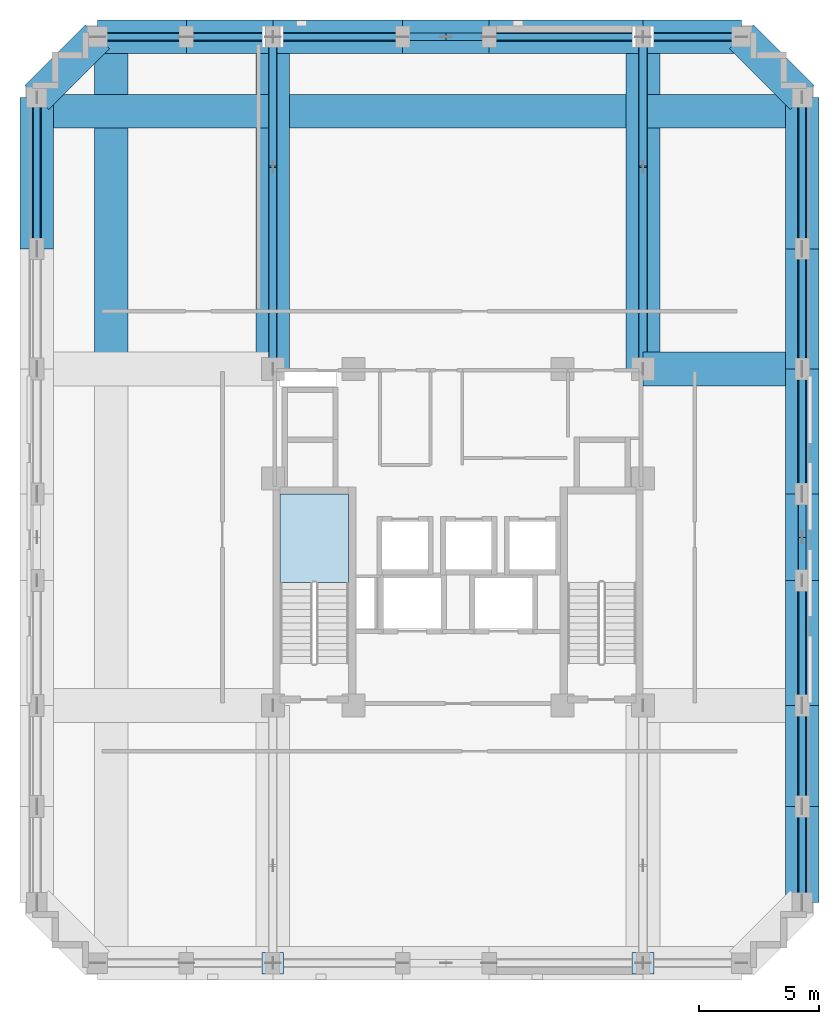
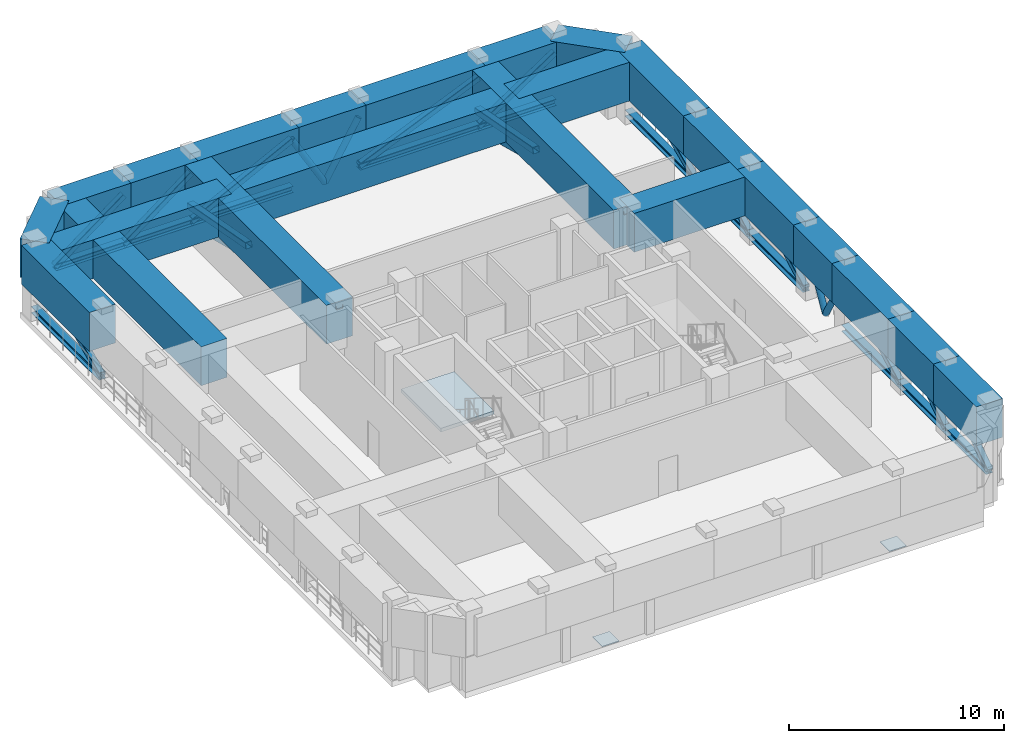
# One storey, part 2 of 12: 32 members, 23 beams, 2 plates, 1 slab, 1 element without a shape of its own.
"""IFC4 building model written with IfcOpenShell, lengths in metres."""

from ifc_helpers import new_model, si_unit, derived_unit, direction, frame, origin, origin_2d, place, context, subcontext, project, spatial, polyline, rectangle, hollow_rectangle, hollow_circle, i_section, outline, extrude, material, layer, layer_set, material_profile, profile_set, type_object, element, aggregate, save


model = new_model("IFC4")

# Units and contexts
model_context = context("Model", 3, precision=1e-05, world=origin(), true_north=direction((0.0, 1.0)))
body_context = subcontext(model_context, "Body", "Model", "MODEL_VIEW")
ifc_project = project(units=[si_unit("LENGTHUNIT", "METRE"), si_unit("AREAUNIT", "SQUARE_METRE"), si_unit("VOLUMEUNIT", "CUBIC_METRE"), si_unit("PLANEANGLEUNIT", "RADIAN"), si_unit("MASSUNIT", "GRAM", prefix="KILO"), derived_unit("THERMALTRANSMITTANCEUNIT", [(si_unit("MASSUNIT", "GRAM", prefix="KILO"), 1), (si_unit("TIMEUNIT", "SECOND"), -3), (si_unit("THERMODYNAMICTEMPERATUREUNIT", "KELVIN"), -1)])], contexts=[model_context])

# Site, building, storey
site_placement = place(None, origin())
site = spatial("IfcSite", under=ifc_project, at=site_placement, CompositionType="ELEMENT")
building_placement = place(site_placement, origin())
building = spatial("IfcBuilding", under=site, at=building_placement, Name="Korrvale Station Residences", CompositionType="ELEMENT")
storey_placement = place(building_placement, frame((0.0, 0.0, 169.89990234375)))
storey = spatial("IfcBuildingStorey", under=building, at=storey_placement, Name="L49", CompositionType="ELEMENT", Elevation=169.89990234375)

# Beams
ifc_material_1 = material(Name="Concrete C60/75", Category="concrete")
ifc_material_profile_1 = material_profile(ifc_material_1, rectangle(XDim=1.39990234375, YDim=2.199951171875, at=origin_2d()), Name="RCB1400x2200")
ifc_profile_set_1 = profile_set([ifc_material_profile_1], Name="Concrete C60/75")
beam_type_1 = type_object("IfcBeamType", Name="BM-SPB-RCB1400x2200-C6075", PredefinedType="SPANDREL", material=ifc_profile_set_1)
beam_1_placement = place(storey_placement, frame((10.5, 42.820068359375, 3.080078125), z_axis=(1.0, 0.0, 0.0), x_axis=(0.0, 1.0, 0.0)))
element("IfcBeam", 1, at=beam_1_placement, inside=storey, type_object=beam_type_1, Name="L49 North Tube Spandrel 07", PredefinedType="SPANDREL", context=body_context, shape_type="SweptSolid", body=[
    extrude(rectangle(XDim=1.39990234375, YDim=2.199951171875, at=origin_2d()), origin(), (0.0, 0.0, 1.0), 3.699951171875),
])
beam_2_placement = place(storey_placement, frame((14.199951171875, 42.820068359375, 3.080078125), z_axis=(1.0, 0.0, 0.0), x_axis=(0.0, 1.0, 0.0)))
element("IfcBeam", 2, at=beam_2_placement, inside=storey, type_object=beam_type_1, Name="L49 North Tube Spandrel 08", PredefinedType="SPANDREL", context=body_context, shape_type="SweptSolid", body=[
    extrude(rectangle(XDim=1.39990234375, YDim=2.199951171875, at=origin_2d()), origin(), (0.0, 0.0, 1.0), 3.60009765625),
])
beam_3_placement = place(storey_placement, frame((17.800048828125, 42.820068359375, 3.080078125), z_axis=(1.0, 0.0, 0.0), x_axis=(0.0, 1.0, 0.0)))
element("IfcBeam", 3, at=beam_3_placement, inside=storey, type_object=beam_type_1, Name="L49 North Tube Spandrel 09", PredefinedType="SPANDREL", context=body_context, shape_type="SweptSolid", body=[
    extrude(rectangle(XDim=1.39990234375, YDim=2.199951171875, at=origin_2d()), origin(), (0.0, 0.0, 1.0), 5.39990234375),
])
beam_4_placement = place(storey_placement, frame((23.199951171875, 42.820068359375, 3.080078125), z_axis=(1.0, 0.0, 0.0), x_axis=(0.0, 1.0, 0.0)))
element("IfcBeam", 4, at=beam_4_placement, inside=storey, type_object=beam_type_1, Name="L49 North Tube Spandrel 10", PredefinedType="SPANDREL", context=body_context, shape_type="SweptSolid", body=[
    extrude(rectangle(XDim=1.39990234375, YDim=2.199951171875, at=origin_2d()), origin(), (0.0, 0.0, 1.0), 3.60009765625),
])
beam_5_placement = place(storey_placement, frame((26.800048828125, 42.820068359375, 3.080078125), z_axis=(1.0, 0.0, 0.0), x_axis=(0.0, 1.0, 0.0)))
element("IfcBeam", 5, at=beam_5_placement, inside=storey, type_object=beam_type_1, Name="L49 North Tube Spandrel 11", PredefinedType="SPANDREL", context=body_context, shape_type="SweptSolid", body=[
    extrude(rectangle(XDim=1.39990234375, YDim=2.199951171875, at=origin_2d()), origin(), (0.0, 0.0, 1.0), 6.39990234375),
])
beam_6_placement = place(storey_placement, frame((33.199951171875, 42.820068359375, 3.080078125), z_axis=(1.0, 0.0, 0.0), x_axis=(0.0, 1.0, 0.0)))
element("IfcBeam", 6, at=beam_6_placement, inside=storey, type_object=beam_type_1, Name="L49 North Tube Spandrel 12", PredefinedType="SPANDREL", context=body_context, shape_type="SweptSolid", body=[
    extrude(rectangle(XDim=1.39990234375, YDim=2.199951171875, at=origin_2d()), origin(), (0.0, 0.0, 1.0), 4.10009765625),
])
beam_7_placement = place(storey_placement, frame((7.97998046875, 34.0, 3.080078125), z_axis=(0.0, 1.0, 0.0), x_axis=(-1.0, 0.0, 0.0)))
element("IfcBeam", 7, at=beam_7_placement, inside=storey, type_object=beam_type_1, Name="L49 West Tube Spandrel 19", PredefinedType="SPANDREL", context=body_context, shape_type="SweptSolid", body=[
    extrude(rectangle(XDim=1.39990234375, YDim=2.199951171875, at=origin_2d()), origin(), (0.0, 0.0, 1.0), 6.300048828125),
])
beam_8_placement = place(storey_placement, frame((39.820068359375, 6.800048828125, 3.080078125), z_axis=(0.0, 1.0, 0.0), x_axis=(-1.0, 0.0, 0.0)))
element("IfcBeam", 8, at=beam_8_placement, inside=storey, type_object=beam_type_1, Name="L49 East Tube Spandrel 20", PredefinedType="SPANDREL", context=body_context, shape_type="SweptSolid", body=[
    extrude(rectangle(XDim=1.39990234375, YDim=2.199951171875, at=origin_2d()), origin(), (0.0, 0.0, 1.0), 4.0),
])
beam_9_placement = place(storey_placement, frame((39.820068359375, 10.800048828125, 3.080078125), z_axis=(0.0, 1.0, 0.0), x_axis=(-1.0, 0.0, 0.0)))
element("IfcBeam", 9, at=beam_9_placement, inside=storey, type_object=beam_type_1, Name="L49 East Tube Spandrel 21", PredefinedType="SPANDREL", context=body_context, shape_type="SweptSolid", body=[
    extrude(rectangle(XDim=1.39990234375, YDim=2.199951171875, at=origin_2d()), origin(), (0.0, 0.0, 1.0), 4.199951171875),
])
beam_10_placement = place(storey_placement, frame((39.820068359375, 15.0, 3.080078125), z_axis=(0.0, 1.0, 0.0), x_axis=(-1.0, 0.0, 0.0)))
element("IfcBeam", 10, at=beam_10_placement, inside=storey, type_object=beam_type_1, Name="L49 East Tube Spandrel 22", PredefinedType="SPANDREL", context=body_context, shape_type="SweptSolid", body=[
    extrude(rectangle(XDim=1.39990234375, YDim=2.199951171875, at=origin_2d()), origin(), (0.0, 0.0, 1.0), 5.199951171875),
])
beam_11_placement = place(storey_placement, frame((39.820068359375, 20.199951171875, 3.080078125), z_axis=(0.0, 1.0, 0.0), x_axis=(-1.0, 0.0, 0.0)))
element("IfcBeam", 11, at=beam_11_placement, inside=storey, type_object=beam_type_1, Name="L49 East Tube Spandrel 23", PredefinedType="SPANDREL", context=body_context, shape_type="SweptSolid", body=[
    extrude(rectangle(XDim=1.39990234375, YDim=2.199951171875, at=origin_2d()), origin(), (0.0, 0.0, 1.0), 3.60009765625),
])
beam_12_placement = place(storey_placement, frame((39.820068359375, 23.800048828125, 3.080078125), z_axis=(0.0, 1.0, 0.0), x_axis=(-1.0, 0.0, 0.0)))
element("IfcBeam", 12, at=beam_12_placement, inside=storey, type_object=beam_type_1, Name="L49 East Tube Spandrel 24", PredefinedType="SPANDREL", context=body_context, shape_type="SweptSolid", body=[
    extrude(rectangle(XDim=1.39990234375, YDim=2.199951171875, at=origin_2d()), origin(), (0.0, 0.0, 1.0), 5.199951171875),
])
beam_13_placement = place(storey_placement, frame((39.820068359375, 29.0, 3.080078125), z_axis=(0.0, 1.0, 0.0), x_axis=(-1.0, 0.0, 0.0)))
element("IfcBeam", 13, at=beam_13_placement, inside=storey, type_object=beam_type_1, Name="L49 East Tube Spandrel 25", PredefinedType="SPANDREL", context=body_context, shape_type="SweptSolid", body=[
    extrude(rectangle(XDim=1.39990234375, YDim=2.199951171875, at=origin_2d()), origin(), (0.0, 0.0, 1.0), 5.0),
])
beam_14_placement = place(storey_placement, frame((39.820068359375, 34.0, 3.080078125), z_axis=(0.0, 1.0, 0.0), x_axis=(-1.0, 0.0, 0.0)))
element("IfcBeam", 14, at=beam_14_placement, inside=storey, type_object=beam_type_1, Name="L49 East Tube Spandrel 26", PredefinedType="SPANDREL", context=body_context, shape_type="SweptSolid", body=[
    extrude(rectangle(XDim=1.39990234375, YDim=2.199951171875, at=origin_2d()), origin(), (0.0, 0.0, 1.0), 6.300048828125),
])
for number, where, z_axis, x_axis, name in (
    (15, (37.300048828125, 42.820068359375, 3.080078125), (0.707106781187, -0.707106781187, 0.0), (0.707106781187, 0.707106781187, 0.0), "L49 Serrated Corner Spandrel 29"),
    (16, (10.5, 42.820068359375, 3.080078125), (-0.707106781187, -0.707106781187, 0.0), (0.707106781187, -0.707106781187, 0.0), "L49 Serrated Corner Spandrel 30"),
):
    element("IfcBeam", number, at=place(storey_placement, frame(where, z_axis=z_axis, x_axis=x_axis)), inside=storey, type_object=beam_type_1, Name=name, PredefinedType="SPANDREL", context=body_context, shape_type="SweptSolid", body=[
        extrude(rectangle(XDim=1.39990234375, YDim=2.199951171875, at=origin_2d()), origin(), (0.0, 0.0, 1.0), 3.56396484375),
    ])
ifc_material_profile_2 = material_profile(ifc_material_1, rectangle(XDim=1.39990234375, YDim=2.199951171875, at=origin_2d()), Name="RCB1400x2200")
ifc_profile_set_2 = profile_set([ifc_material_profile_2], Name="Concrete C60/75")
beam_type_2 = type_object("IfcBeamType", Name="BM-TG-RCB1400x2200-C6075", PredefinedType="USERDEFINED", material=ifc_profile_set_2)
for number, where, z_axis, x_axis, name in (
    (17, (17.800048828125, 29.0, 3.080078125), (0.0, 1.0, 0.0), (-1.0, 0.0, 0.0), "TG2 L49 Bundled-Tube Transfer Web Girder 03"),
    (18, (33.199951171875, 29.0, 3.080078125), (0.0, 1.0, 0.0), (-1.0, 0.0, 0.0), "TG2 L49 Bundled-Tube Transfer Web Girder 04"),
):
    element("IfcBeam", number, at=place(storey_placement, frame(where, z_axis=z_axis, x_axis=x_axis)), inside=storey, type_object=beam_type_2, Name=name, ObjectType="TRANSFER GIRDER", PredefinedType="USERDEFINED", context=body_context, shape_type="SweptSolid", body=[
        extrude(rectangle(XDim=1.39990234375, YDim=2.199951171875, at=origin_2d()), origin(), (0.0, 0.0, 1.0), 13.820068359375),
    ])
beam_15_placement = place(storey_placement, frame((33.199951171875, 29.0, 3.080078125), z_axis=(1.0, 0.0, 0.0), x_axis=(0.0, 1.0, 0.0)))
element("IfcBeam", 19, at=beam_15_placement, inside=storey, type_object=beam_type_2, Name="TG2 L49 Bundled-Tube Transfer Web Girder 08", ObjectType="TRANSFER GIRDER", PredefinedType="USERDEFINED", context=body_context, shape_type="SweptSolid", body=[
    extrude(rectangle(XDim=1.39990234375, YDim=2.199951171875, at=origin_2d()), origin(), (0.0, 0.0, 1.0), 6.6201171875),
])
beam_16_placement = place(storey_placement, frame((7.97998046875, 39.719970703125, 3.080078125), z_axis=(1.0, 0.0, 0.0), x_axis=(0.0, 1.0, 0.0)))
element("IfcBeam", 20, at=beam_16_placement, inside=storey, type_object=beam_type_2, Name="TG2 L49 Setback Perimeter Transfer Girder 01", ObjectType="TRANSFER GIRDER", PredefinedType="USERDEFINED", context=body_context, shape_type="SweptSolid", body=[
    extrude(rectangle(XDim=1.39990234375, YDim=2.199951171875, at=origin_2d()), origin(), (0.0, 0.0, 1.0), 9.820068359375),
])
beam_17_placement = place(storey_placement, frame((17.800048828125, 39.719970703125, 3.080078125), z_axis=(1.0, 0.0, 0.0), x_axis=(0.0, 1.0, 0.0)))
element("IfcBeam", 21, at=beam_17_placement, inside=storey, type_object=beam_type_2, Name="TG2 L49 Setback Perimeter Transfer Girder 02", ObjectType="TRANSFER GIRDER", PredefinedType="USERDEFINED", context=body_context, shape_type="SweptSolid", body=[
    extrude(rectangle(XDim=1.39990234375, YDim=2.199951171875, at=origin_2d()), origin(), (0.0, 0.0, 1.0), 15.39990234375),
])
beam_18_placement = place(storey_placement, frame((33.199951171875, 39.719970703125, 3.080078125), z_axis=(1.0, 0.0, 0.0), x_axis=(0.0, 1.0, 0.0)))
element("IfcBeam", 22, at=beam_18_placement, inside=storey, type_object=beam_type_2, Name="TG2 L49 Setback Perimeter Transfer Girder 03", ObjectType="TRANSFER GIRDER", PredefinedType="USERDEFINED", context=body_context, shape_type="SweptSolid", body=[
    extrude(rectangle(XDim=1.39990234375, YDim=2.199951171875, at=origin_2d()), origin(), (0.0, 0.0, 1.0), 6.6201171875),
])
beam_19_placement = place(storey_placement, frame((11.080078125, 29.0, 3.080078125), z_axis=(0.0, 1.0, 0.0), x_axis=(-1.0, 0.0, 0.0)))
element("IfcBeam", 23, at=beam_19_placement, inside=storey, type_object=beam_type_2, Name="TG2 L49 Setback Perimeter Transfer Girder 06", ObjectType="TRANSFER GIRDER", PredefinedType="USERDEFINED", context=body_context, shape_type="SweptSolid", body=[
    extrude(rectangle(XDim=1.39990234375, YDim=2.199951171875, at=origin_2d()), origin(), (0.0, 0.0, 1.0), 13.820068359375),
])

# Members
ifc_material_2 = material(Name="Steel S355", Category="steel")
ifc_material_profile_3 = material_profile(ifc_material_2, hollow_rectangle(XDim=0.3046875, YDim=0.3046875, WallThickness=0.015869140625, InnerFilletRadius=0.015869140625, OuterFilletRadius=0.03173828125, at=origin_2d()), Name="HSS305x305x16")
ifc_profile_set_3 = profile_set([ifc_material_profile_3], Name="Steel S355")
member_type_1 = type_object("IfcMemberType", Name="MBR-BR-BT-HSS305x305x16", PredefinedType="BRACE", material=ifc_profile_set_3)
member_1_placement = place(storey_placement, frame((10.5, 42.820068359375, 0.35009765625), z_axis=(0.80259171482, 0.0, 0.596528741388), x_axis=(0.0, 1.0, 0.0)))
element("IfcMember", 24, at=member_1_placement, inside=storey, type_object=member_type_1, Name="L49 Belt Truss Web Diagonal 06", PredefinedType="BRACE", context=body_context, shape_type="SweptSolid", body=[
    extrude(hollow_rectangle(XDim=0.3046875, YDim=0.3046875, WallThickness=0.015869140625, InnerFilletRadius=0.015869140625, OuterFilletRadius=0.03173828125, at=origin_2d()), origin(), (0.0, 0.0, 1.0), 4.610107421875),
])
member_2_placement = place(storey_placement, frame((14.199951171875, 42.820068359375, 0.35009765625), z_axis=(0.794678950836, 0.0, 0.607029954036), x_axis=(0.0, 1.0, 0.0)))
element("IfcMember", 25, at=member_2_placement, inside=storey, type_object=member_type_1, Name="L49 Belt Truss Web Diagonal 07", PredefinedType="BRACE", context=body_context, shape_type="SweptSolid", body=[
    extrude(hollow_rectangle(XDim=0.3046875, YDim=0.3046875, WallThickness=0.015869140625, InnerFilletRadius=0.015869140625, OuterFilletRadius=0.03173828125, at=origin_2d()), origin(), (0.0, 0.0, 1.0), 4.5302734375),
])
member_3_placement = place(storey_placement, frame((17.800048828125, 42.820068359375, 0.35009765625), z_axis=(0.891099136061, 0.0, 0.453808692856), x_axis=(0.0, 1.0, 0.0)))
element("IfcMember", 26, at=member_3_placement, inside=storey, type_object=member_type_1, Name="L49 Belt Truss Web Diagonal 08", PredefinedType="BRACE", context=body_context, shape_type="SweptSolid", body=[
    extrude(hollow_rectangle(XDim=0.3046875, YDim=0.3046875, WallThickness=0.015869140625, InnerFilletRadius=0.015869140625, OuterFilletRadius=0.03173828125, at=origin_2d()), origin(), (0.0, 0.0, 1.0), 6.059814453125),
])
member_4_placement = place(storey_placement, frame((26.800048828125, 42.820068359375, 0.35009765625), z_axis=(0.918771165174, 0.0, 0.394790509061), x_axis=(0.0, 1.0, 0.0)))
element("IfcMember", 27, at=member_4_placement, inside=storey, type_object=member_type_1, Name="L49 Belt Truss Web Diagonal 09", PredefinedType="BRACE", context=body_context, shape_type="SweptSolid", body=[
    extrude(hollow_rectangle(XDim=0.3046875, YDim=0.3046875, WallThickness=0.015869140625, InnerFilletRadius=0.015869140625, OuterFilletRadius=0.03173828125, at=origin_2d()), origin(), (0.0, 0.0, 1.0), 6.9658203125),
])
member_5_placement = place(storey_placement, frame((33.199951171875, 42.820068359375, 0.35009765625), z_axis=(0.830495008959, 0.0, 0.557026067697), x_axis=(0.0, 1.0, 0.0)))
element("IfcMember", 28, at=member_5_placement, inside=storey, type_object=member_type_1, Name="L49 Belt Truss Web Diagonal 10", PredefinedType="BRACE", context=body_context, shape_type="SweptSolid", body=[
    extrude(hollow_rectangle(XDim=0.3046875, YDim=0.3046875, WallThickness=0.015869140625, InnerFilletRadius=0.015869140625, OuterFilletRadius=0.03173828125, at=origin_2d()), origin(), (0.0, 0.0, 1.0), 4.93701171875),
])
member_6_placement = place(storey_placement, frame((7.97998046875, 34.0, 0.35009765625), z_axis=(0.0, 0.916492030347, 0.400052944384), x_axis=(-1.0, 0.0, 0.0)))
element("IfcMember", 29, at=member_6_placement, inside=storey, type_object=member_type_1, Name="L49 Belt Truss Web Diagonal 16", PredefinedType="BRACE", context=body_context, shape_type="SweptSolid", body=[
    extrude(hollow_rectangle(XDim=0.3046875, YDim=0.3046875, WallThickness=0.015869140625, InnerFilletRadius=0.015869140625, OuterFilletRadius=0.03173828125, at=origin_2d()), origin(), (0.0, 0.0, 1.0), 6.8740234375),
])
member_7_placement = place(storey_placement, frame((39.820068359375, 6.800048828125, 0.35009765625), z_axis=(0.0, 0.824041924199, 0.566528822887), x_axis=(-1.0, 0.0, 0.0)))
element("IfcMember", 30, at=member_7_placement, inside=storey, type_object=member_type_1, Name="L49 Belt Truss Web Diagonal 17", PredefinedType="BRACE", context=body_context, shape_type="SweptSolid", body=[
    extrude(hollow_rectangle(XDim=0.3046875, YDim=0.3046875, WallThickness=0.015869140625, InnerFilletRadius=0.015869140625, OuterFilletRadius=0.03173828125, at=origin_2d()), origin(), (0.0, 0.0, 1.0), 4.85400390625),
])
member_8_placement = place(storey_placement, frame((39.820068359375, 10.800048828125, 0.35009765625), z_axis=(0.0, 0.836615610023, 0.547790398843), x_axis=(-1.0, 0.0, 0.0)))
element("IfcMember", 31, at=member_8_placement, inside=storey, type_object=member_type_1, Name="L49 Belt Truss Web Diagonal 18", PredefinedType="BRACE", context=body_context, shape_type="SweptSolid", body=[
    extrude(hollow_rectangle(XDim=0.3046875, YDim=0.3046875, WallThickness=0.015869140625, InnerFilletRadius=0.015869140625, OuterFilletRadius=0.03173828125, at=origin_2d()), origin(), (0.0, 0.0, 1.0), 5.020263671875),
])
for number, where, z_axis, x_axis, name in (
    (32, (39.820068359375, 15.0, 0.35009765625), (0.0, 0.883992771375, 0.467500567011), (-1.0, 0.0, 0.0), "L49 Belt Truss Web Diagonal 19"),
    (33, (39.820068359375, 23.800048828125, 0.35009765625), (0.0, 0.883992771375, 0.467500567011), (-1.0, 0.0, 0.0), "L49 Belt Truss Web Diagonal 20"),
):
    element("IfcMember", number, at=place(storey_placement, frame(where, z_axis=z_axis, x_axis=x_axis)), inside=storey, type_object=member_type_1, Name=name, PredefinedType="BRACE", context=body_context, shape_type="SweptSolid", body=[
        extrude(hollow_rectangle(XDim=0.3046875, YDim=0.3046875, WallThickness=0.015869140625, InnerFilletRadius=0.015869140625, OuterFilletRadius=0.03173828125, at=origin_2d()), origin(), (0.0, 0.0, 1.0), 5.88232421875),
    ])
member_9_placement = place(storey_placement, frame((39.820068359375, 29.0, 0.35009765625), z_axis=(0.0, 0.876215908677, 0.481918749772), x_axis=(-1.0, 0.0, 0.0)))
element("IfcMember", 34, at=member_9_placement, inside=storey, type_object=member_type_1, Name="L49 Belt Truss Web Diagonal 21", PredefinedType="BRACE", context=body_context, shape_type="SweptSolid", body=[
    extrude(hollow_rectangle(XDim=0.3046875, YDim=0.3046875, WallThickness=0.015869140625, InnerFilletRadius=0.015869140625, OuterFilletRadius=0.03173828125, at=origin_2d()), origin(), (0.0, 0.0, 1.0), 5.706298828125),
])
member_10_placement = place(storey_placement, frame((39.820068359375, 34.0, 0.35009765625), z_axis=(0.0, 0.916492030347, 0.400052944384), x_axis=(-1.0, 0.0, 0.0)))
element("IfcMember", 35, at=member_10_placement, inside=storey, type_object=member_type_1, Name="L49 Belt Truss Web Diagonal 22", PredefinedType="BRACE", context=body_context, shape_type="SweptSolid", body=[
    extrude(hollow_rectangle(XDim=0.3046875, YDim=0.3046875, WallThickness=0.015869140625, InnerFilletRadius=0.015869140625, OuterFilletRadius=0.03173828125, at=origin_2d()), origin(), (0.0, 0.0, 1.0), 6.8740234375),
])
ifc_material_profile_4 = material_profile(ifc_material_2, hollow_circle(Radius=0.161865234375, WallThickness=0.015869140625, at=origin_2d()), Name="HSS324x16")
ifc_profile_set_4 = profile_set([ifc_material_profile_4], Name="Steel S355")
member_type_2 = type_object("IfcMemberType", Name="MBR-BR-HSS324x16", PredefinedType="BRACE", material=ifc_profile_set_4)
for number, where, z_axis, x_axis, name in (
    (36, (25.0, 42.820068359375, 0.02001953125), (-0.504568681787, 0.0, 0.863371556955), (0.0, -1.0, 0.0), "L49 N Perimeter Tube Wind Brace 1"),
    (37, (25.0, 42.820068359375, 0.02001953125), (0.504568681787, 0.0, 0.863371556955), (0.0, 1.0, 0.0), "L49 N Perimeter Tube Wind Brace 2"),
    (38, (39.820068359375, 22.0, 0.02001953125), (0.0, -0.504568681787, 0.863371556955), (1.0, 0.0, 0.0), "L49 E Perimeter Tube Wind Brace 1"),
    (39, (39.820068359375, 22.0, 0.02001953125), (0.0, 0.504568681787, 0.863371556955), (-1.0, 0.0, 0.0), "L49 E Perimeter Tube Wind Brace 2"),
):
    element("IfcMember", number, at=place(storey_placement, frame(where, z_axis=z_axis, x_axis=x_axis)), inside=storey, type_object=member_type_2, Name=name, PredefinedType="BRACE", context=body_context, shape_type="SweptSolid", body=[
        extrude(hollow_circle(Radius=0.161865234375, WallThickness=0.015869140625, at=origin_2d()), origin(), (0.0, 0.0, 1.0), 3.5673828125),
    ])
ifc_material_profile_5 = material_profile(ifc_material_2, hollow_rectangle(XDim=0.355712890625, YDim=0.355712890625, WallThickness=0.015869140625, InnerFilletRadius=0.015869140625, OuterFilletRadius=0.03173828125, at=origin_2d()), Name="HSS356x356x16")
ifc_profile_set_5 = profile_set([ifc_material_profile_5], Name="Steel S355")
member_type_3 = type_object("IfcMemberType", Name="MBR-BR-OT-HSS356x356x16", PredefinedType="BRACE", material=ifc_profile_set_5)
member_11_placement = place(storey_placement, frame((17.800048828125, 42.820068359375, 1.25), z_axis=(0.0, -0.983016514431, 0.183517117338), x_axis=(1.0, 0.0, 0.0)))
element("IfcMember", 40, at=member_11_placement, inside=storey, type_object=member_type_3, Name="L49 Outrigger Truss Diagonal 3A", PredefinedType="BRACE", context=body_context, shape_type="SweptSolid", body=[
    extrude(hollow_rectangle(XDim=0.355712890625, YDim=0.355712890625, WallThickness=0.015869140625, InnerFilletRadius=0.015869140625, OuterFilletRadius=0.03173828125, at=origin_2d()), origin(), (0.0, 0.0, 1.0), 5.503662109375),
])
member_12_placement = place(storey_placement, frame((17.800048828125, 42.820068359375, 0.35009765625), z_axis=(0.0, -0.968046270605, 0.250771645064), x_axis=(1.0, 0.0, 0.0)))
element("IfcMember", 41, at=member_12_placement, inside=storey, type_object=member_type_3, Name="L49 Outrigger Truss Diagonal 3B", PredefinedType="BRACE", context=body_context, shape_type="SweptSolid", body=[
    extrude(hollow_rectangle(XDim=0.355712890625, YDim=0.355712890625, WallThickness=0.015869140625, InnerFilletRadius=0.015869140625, OuterFilletRadius=0.03173828125, at=origin_2d()), origin(), (0.0, 0.0, 1.0), 14.2763671875),
])
member_13_placement = place(storey_placement, frame((33.199951171875, 42.820068359375, 1.25), z_axis=(0.0, -0.983016514431, 0.183517117338), x_axis=(1.0, 0.0, 0.0)))
element("IfcMember", 42, at=member_13_placement, inside=storey, type_object=member_type_3, Name="L49 Outrigger Truss Diagonal 4A", PredefinedType="BRACE", context=body_context, shape_type="SweptSolid", body=[
    extrude(hollow_rectangle(XDim=0.355712890625, YDim=0.355712890625, WallThickness=0.015869140625, InnerFilletRadius=0.015869140625, OuterFilletRadius=0.03173828125, at=origin_2d()), origin(), (0.0, 0.0, 1.0), 5.503662109375),
])
member_14_placement = place(storey_placement, frame((33.199951171875, 42.820068359375, 0.35009765625), z_axis=(0.0, -0.968046270605, 0.250771645064), x_axis=(1.0, 0.0, 0.0)))
element("IfcMember", 43, at=member_14_placement, inside=storey, type_object=member_type_3, Name="L49 Outrigger Truss Diagonal 4B", PredefinedType="BRACE", context=body_context, shape_type="SweptSolid", body=[
    extrude(hollow_rectangle(XDim=0.355712890625, YDim=0.355712890625, WallThickness=0.015869140625, InnerFilletRadius=0.015869140625, OuterFilletRadius=0.03173828125, at=origin_2d()), origin(), (0.0, 0.0, 1.0), 14.2763671875),
])
ifc_material_profile_6 = material_profile(ifc_material_2, i_section(OverallWidth=0.3740234375, OverallDepth=0.3720703125, WebThickness=0.016357421875, FlangeThickness=0.026123046875, FilletRadius=0.014892578125, at=origin_2d()), Name="W360x196")
ifc_profile_set_6 = profile_set([ifc_material_profile_6], Name="Steel S355")
member_type_4 = type_object("IfcMemberType", Name="MBR-CHD-BT-W360x196", PredefinedType="CHORD", material=ifc_profile_set_6)
member_15_placement = place(storey_placement, frame((10.5, 42.820068359375, 0.35009765625), z_axis=(1.0, 0.0, 0.0), x_axis=(0.0, 1.0, 0.0)))
element("IfcMember", 44, at=member_15_placement, inside=storey, type_object=member_type_4, Name="L49 Belt Truss Bottom Chord 06", PredefinedType="CHORD", context=body_context, shape_type="SweptSolid", body=[
    extrude(i_section(OverallWidth=0.3740234375, OverallDepth=0.3720703125, WebThickness=0.016357421875, FlangeThickness=0.026123046875, FilletRadius=0.014892578125, at=origin_2d()), origin(), (0.0, 0.0, 1.0), 3.699951171875),
])
member_16_placement = place(storey_placement, frame((14.199951171875, 42.820068359375, 0.35009765625), z_axis=(1.0, 0.0, 0.0), x_axis=(0.0, 1.0, 0.0)))
element("IfcMember", 45, at=member_16_placement, inside=storey, type_object=member_type_4, Name="L49 Belt Truss Bottom Chord 07", PredefinedType="CHORD", context=body_context, shape_type="SweptSolid", body=[
    extrude(i_section(OverallWidth=0.3740234375, OverallDepth=0.3720703125, WebThickness=0.016357421875, FlangeThickness=0.026123046875, FilletRadius=0.014892578125, at=origin_2d()), origin(), (0.0, 0.0, 1.0), 3.60009765625),
])
member_17_placement = place(storey_placement, frame((17.800048828125, 42.820068359375, 0.35009765625), z_axis=(1.0, 0.0, 0.0), x_axis=(0.0, 1.0, 0.0)))
element("IfcMember", 46, at=member_17_placement, inside=storey, type_object=member_type_4, Name="L49 Belt Truss Bottom Chord 08", PredefinedType="CHORD", context=body_context, shape_type="SweptSolid", body=[
    extrude(i_section(OverallWidth=0.3740234375, OverallDepth=0.3720703125, WebThickness=0.016357421875, FlangeThickness=0.026123046875, FilletRadius=0.014892578125, at=origin_2d()), origin(), (0.0, 0.0, 1.0), 5.39990234375),
])
member_18_placement = place(storey_placement, frame((26.800048828125, 42.820068359375, 0.35009765625), z_axis=(1.0, 0.0, 0.0), x_axis=(0.0, 1.0, 0.0)))
element("IfcMember", 47, at=member_18_placement, inside=storey, type_object=member_type_4, Name="L49 Belt Truss Bottom Chord 09", PredefinedType="CHORD", context=body_context, shape_type="SweptSolid", body=[
    extrude(i_section(OverallWidth=0.3740234375, OverallDepth=0.3720703125, WebThickness=0.016357421875, FlangeThickness=0.026123046875, FilletRadius=0.014892578125, at=origin_2d()), origin(), (0.0, 0.0, 1.0), 6.39990234375),
])
member_19_placement = place(storey_placement, frame((33.199951171875, 42.820068359375, 0.35009765625), z_axis=(1.0, 0.0, 0.0), x_axis=(0.0, 1.0, 0.0)))
element("IfcMember", 48, at=member_19_placement, inside=storey, type_object=member_type_4, Name="L49 Belt Truss Bottom Chord 10", PredefinedType="CHORD", context=body_context, shape_type="SweptSolid", body=[
    extrude(i_section(OverallWidth=0.3740234375, OverallDepth=0.3720703125, WebThickness=0.016357421875, FlangeThickness=0.026123046875, FilletRadius=0.014892578125, at=origin_2d()), origin(), (0.0, 0.0, 1.0), 4.10009765625),
])
member_20_placement = place(storey_placement, frame((7.97998046875, 34.0, 0.35009765625), z_axis=(0.0, 1.0, 0.0), x_axis=(-1.0, 0.0, 0.0)))
element("IfcMember", 49, at=member_20_placement, inside=storey, type_object=member_type_4, Name="L49 Belt Truss Bottom Chord 16", PredefinedType="CHORD", context=body_context, shape_type="SweptSolid", body=[
    extrude(i_section(OverallWidth=0.3740234375, OverallDepth=0.3720703125, WebThickness=0.016357421875, FlangeThickness=0.026123046875, FilletRadius=0.014892578125, at=origin_2d()), origin(), (0.0, 0.0, 1.0), 6.300048828125),
])
member_21_placement = place(storey_placement, frame((39.820068359375, 6.800048828125, 0.35009765625), z_axis=(0.0, 1.0, 0.0), x_axis=(-1.0, 0.0, 0.0)))
element("IfcMember", 50, at=member_21_placement, inside=storey, type_object=member_type_4, Name="L49 Belt Truss Bottom Chord 17", PredefinedType="CHORD", context=body_context, shape_type="SweptSolid", body=[
    extrude(i_section(OverallWidth=0.3740234375, OverallDepth=0.3720703125, WebThickness=0.016357421875, FlangeThickness=0.026123046875, FilletRadius=0.014892578125, at=origin_2d()), origin(), (0.0, 0.0, 1.0), 4.0),
])
member_22_placement = place(storey_placement, frame((39.820068359375, 10.800048828125, 0.35009765625), z_axis=(0.0, 1.0, 0.0), x_axis=(-1.0, 0.0, 0.0)))
element("IfcMember", 51, at=member_22_placement, inside=storey, type_object=member_type_4, Name="L49 Belt Truss Bottom Chord 18", PredefinedType="CHORD", context=body_context, shape_type="SweptSolid", body=[
    extrude(i_section(OverallWidth=0.3740234375, OverallDepth=0.3720703125, WebThickness=0.016357421875, FlangeThickness=0.026123046875, FilletRadius=0.014892578125, at=origin_2d()), origin(), (0.0, 0.0, 1.0), 4.199951171875),
])
for number, where, z_axis, x_axis, name in (
    (52, (39.820068359375, 15.0, 0.35009765625), (0.0, 1.0, 0.0), (-1.0, 0.0, 0.0), "L49 Belt Truss Bottom Chord 19"),
    (53, (39.820068359375, 23.800048828125, 0.35009765625), (0.0, 1.0, 0.0), (-1.0, 0.0, 0.0), "L49 Belt Truss Bottom Chord 20"),
):
    element("IfcMember", number, at=place(storey_placement, frame(where, z_axis=z_axis, x_axis=x_axis)), inside=storey, type_object=member_type_4, Name=name, PredefinedType="CHORD", context=body_context, shape_type="SweptSolid", body=[
        extrude(i_section(OverallWidth=0.3740234375, OverallDepth=0.3720703125, WebThickness=0.016357421875, FlangeThickness=0.026123046875, FilletRadius=0.014892578125, at=origin_2d()), origin(), (0.0, 0.0, 1.0), 5.199951171875),
    ])
member_23_placement = place(storey_placement, frame((39.820068359375, 29.0, 0.35009765625), z_axis=(0.0, 1.0, 0.0), x_axis=(-1.0, 0.0, 0.0)))
element("IfcMember", 54, at=member_23_placement, inside=storey, type_object=member_type_4, Name="L49 Belt Truss Bottom Chord 21", PredefinedType="CHORD", context=body_context, shape_type="SweptSolid", body=[
    extrude(i_section(OverallWidth=0.3740234375, OverallDepth=0.3720703125, WebThickness=0.016357421875, FlangeThickness=0.026123046875, FilletRadius=0.014892578125, at=origin_2d()), origin(), (0.0, 0.0, 1.0), 5.0),
])
member_24_placement = place(storey_placement, frame((39.820068359375, 34.0, 0.35009765625), z_axis=(0.0, 1.0, 0.0), x_axis=(-1.0, 0.0, 0.0)))
element("IfcMember", 55, at=member_24_placement, inside=storey, type_object=member_type_4, Name="L49 Belt Truss Bottom Chord 22", PredefinedType="CHORD", context=body_context, shape_type="SweptSolid", body=[
    extrude(i_section(OverallWidth=0.3740234375, OverallDepth=0.3720703125, WebThickness=0.016357421875, FlangeThickness=0.026123046875, FilletRadius=0.014892578125, at=origin_2d()), origin(), (0.0, 0.0, 1.0), 6.300048828125),
])

# Plates
ifc_layer_1 = layer(ifc_material_2, 0.034912109375, Name="Steel S355")
ifc_layer_set_1 = layer_set([ifc_layer_1], Name="Steel S355")
plate_type = type_object("IfcPlateType", Name="PLT-BASE-35", PredefinedType="SHEET", material=ifc_layer_set_1)
for number, where, z_axis, x_axis, name in (
    (56, (17.800048828125, 4.280029296875, 0.0), (0.0, 0.0, 1.0), (1.0, 0.0, 0.0), "L49 Outrigger Anchor Base Plate 1"),
    (57, (33.199951171875, 4.280029296875, 0.0), (0.0, 0.0, 1.0), (1.0, 0.0, 0.0), "L49 Outrigger Anchor Base Plate 2"),
):
    element("IfcPlate", number, at=place(storey_placement, frame(where, z_axis=z_axis, x_axis=x_axis)), inside=storey, type_object=plate_type, Name=name, PredefinedType="SHEET", context=body_context, shape_type="SweptSolid", body=[
        extrude(rectangle(XDim=0.89990234375, YDim=0.89990234375, at=origin_2d()), origin(), (0.0, 0.0, 1.0), 0.034912109375),
    ])

# Stair, slab
ifc_material_3 = material(Name="Concrete C50/60", Category="concrete")
stair_type = type_object("IfcStairType", Name="STR-DL-1350-26R-1731", PredefinedType="HALF_TURN_STAIR", material=ifc_material_3)
stair_placement = place(storey_placement, origin())
stair = element("IfcStair", 58, at=stair_placement, inside=storey, type_object=stair_type, Name="L49 Exit Stair 1", PredefinedType="HALF_TURN_STAIR")
ifc_layer_2 = layer(ifc_material_3, 0.199951171875, Name="Concrete C50/60")
ifc_layer_set_2 = layer_set([ifc_layer_2], Name="Concrete C50/60")
slab_type = type_object("IfcSlabType", Name="SLB-LND-200", PredefinedType="LANDING", material=ifc_layer_set_2)
slab_placement = place(storey_placement, frame((0.0, 0.0, 2.050048828125)))
slab = element("IfcSlab", 59, at=slab_placement, type_object=slab_type, Name="ST-1 landing 1", PredefinedType="LANDING", context=body_context, shape_type="SweptSolid", body=[
    extrude(outline(polyline([(20.949951171875, 20.110107421875), (20.949951171875, 23.800048828125), (18.10009765625, 23.800048828125), (18.10009765625, 20.110107421875), (20.949951171875, 20.110107421875)])), origin(), (0.0, 0.0, 1.0), 0.199951171875),
])
aggregate(stair, [slab])

save(model, "model.ifc")
